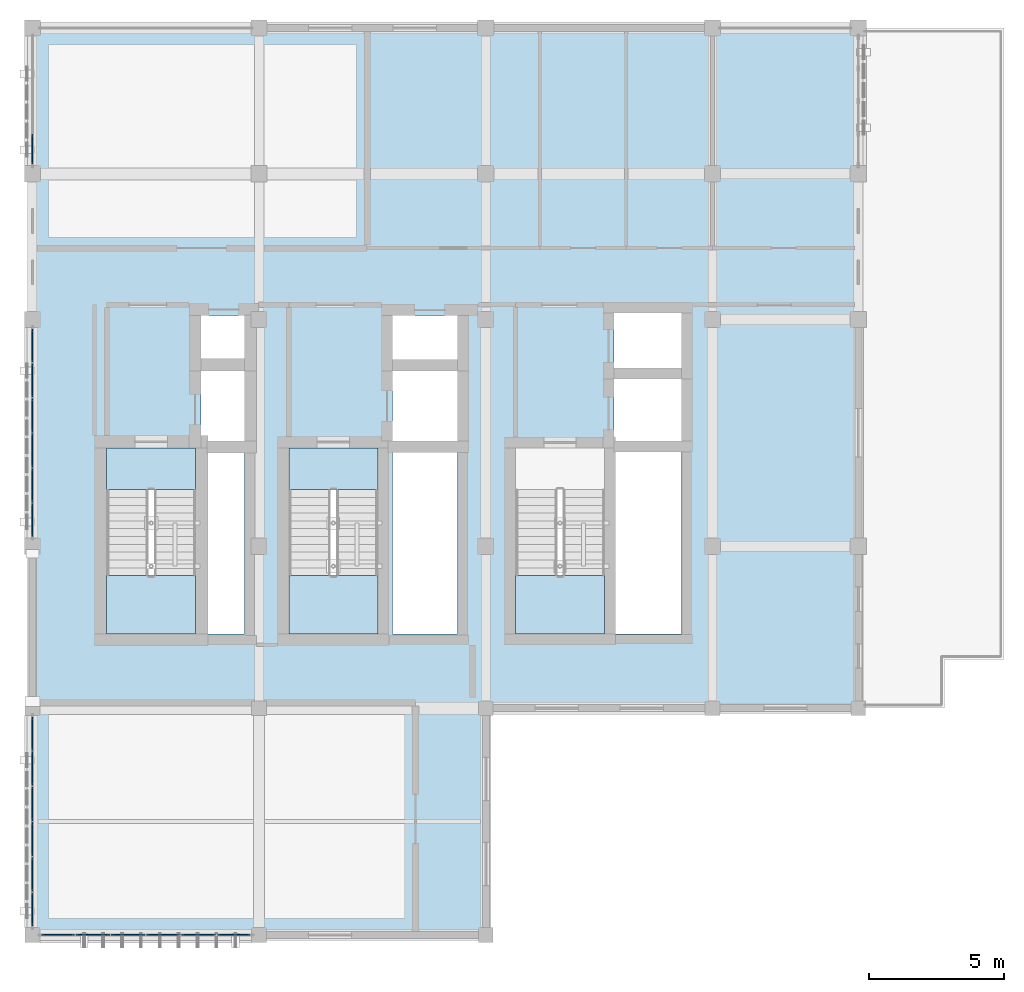
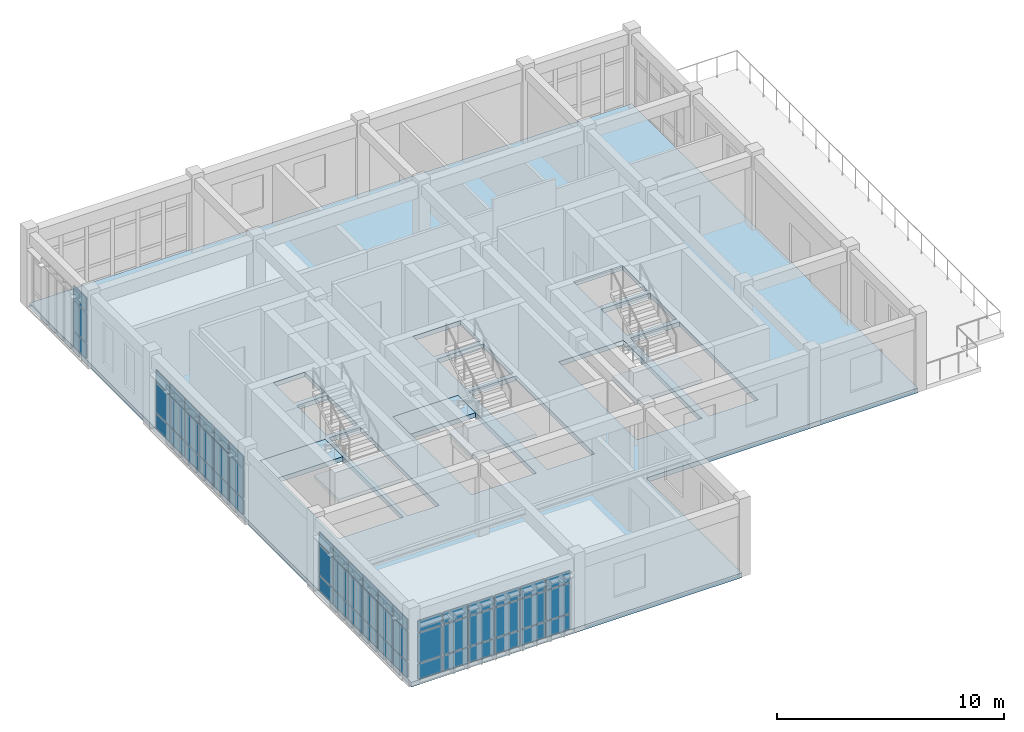
# One storey, part 15 of 21: 57 plates, 6 slabs, 7 elements without a shape of their own.
"""IFC4 building model written with IfcOpenShell, lengths in metres."""

from ifc_helpers import new_model, si_unit, direction, frame, origin, origin_2d, place, context, subcontext, project, spatial, polyline, rectangle, outline, extrude, material, layer, layer_set, type_object, element, aggregate, save


model = new_model("IFC4")

# Units and contexts
model_context = context("Model", 3, precision=1e-05, world=origin(), true_north=direction((0.0, 1.0)))
body_context = subcontext(model_context, "Body", "Model", "MODEL_VIEW")
ifc_project = project(units=[si_unit("LENGTHUNIT", "METRE"), si_unit("AREAUNIT", "SQUARE_METRE"), si_unit("VOLUMEUNIT", "CUBIC_METRE"), si_unit("PLANEANGLEUNIT", "RADIAN"), si_unit("MASSUNIT", "GRAM", prefix="KILO")], contexts=[model_context])

# Site, building, storey
site_placement = place(None, origin())
site = spatial("IfcSite", under=ifc_project, at=site_placement, CompositionType="ELEMENT")
building_placement = place(site_placement, origin())
building = spatial("IfcBuilding", under=site, at=building_placement, Name="Krzemoval Escarpment Law Courts", CompositionType="ELEMENT")
storey_placement = place(building_placement, frame((0.0, 0.0, 37.800048828125)))
storey = spatial("IfcBuildingStorey", under=building, at=storey_placement, Name="L08", CompositionType="ELEMENT", Elevation=37.800048828125)

# Curtain wall, plates
ifc_material_1 = material(Name="Aluminium 6063-T6", Category="aluminium")
ifc_layer_1 = layer(ifc_material_1, 0.219970703125)
ifc_layer_set_1 = layer_set([ifc_layer_1], Name="Aluminium 6063-T6")
curtain_wall_type = type_object("IfcCurtainWallType", Name="CW-CHMB-4200", PredefinedType="USERDEFINED", material=ifc_layer_set_1)
curtain_wall_1_placement = place(storey_placement, origin())
curtain_wall_1 = element("IfcCurtainWall", 1, at=curtain_wall_1_placement, inside=storey, type_object=curtain_wall_type, Name="Unitised Curtain Wall FCW-L08-161", ObjectType="UNITISED_CURTAIN_WALL", PredefinedType="USERDEFINED")
ifc_material_2 = material(Name="Triple Glazing IGU", Category="glass")
ifc_layer_2 = layer(ifc_material_2, 0.0419921875)
ifc_layer_set_2 = layer_set([ifc_layer_2], Name="Triple Glazing IGU")
plate_type = type_object("IfcPlateType", Name="CWP-GLZ-42", PredefinedType="CURTAIN_PANEL", material=ifc_layer_set_2)
plate_1_placement = place(storey_placement, frame((133.45458984375, 85.199951171875, 0.06494140625), z_axis=(0.0, 0.0, 1.0), x_axis=(-1.0, 0.0, 0.0)))
plate_1 = element("IfcPlate", 2, at=plate_1_placement, type_object=plate_type, Name="FCW-L08-161 panel 1.1", PredefinedType="CURTAIN_PANEL", context=body_context, shape_type="SweptSolid", body=[
    extrude(rectangle(XDim=1.2109375, YDim=0.0419921875, at=origin_2d()), origin(), (0.0, 0.0, 1.0), 0.802490234375),
])
plate_2_placement = place(storey_placement, frame((133.45458984375, 85.199951171875, 0.932373046875), z_axis=(0.0, 0.0, 1.0), x_axis=(-1.0, 0.0, 0.0)))
plate_2 = element("IfcPlate", 3, at=plate_2_placement, type_object=plate_type, Name="FCW-L08-161 panel 1.2", PredefinedType="CURTAIN_PANEL", context=body_context, shape_type="SweptSolid", body=[
    extrude(rectangle(XDim=1.2109375, YDim=0.0419921875, at=origin_2d()), origin(), (0.0, 0.0, 1.0), 1.5849609375),
])
plate_3_placement = place(storey_placement, frame((133.45458984375, 85.199951171875, 2.58251953125), z_axis=(0.0, 0.0, 1.0), x_axis=(-1.0, 0.0, 0.0)))
plate_3 = element("IfcPlate", 4, at=plate_3_placement, type_object=plate_type, Name="FCW-L08-161 panel 1.3", PredefinedType="CURTAIN_PANEL", context=body_context, shape_type="SweptSolid", body=[
    extrude(rectangle(XDim=1.2109375, YDim=0.0419921875, at=origin_2d()), origin(), (0.0, 0.0, 1.0), 0.612548828125),
])
plate_4_placement = place(storey_placement, frame((132.16259765625, 85.199951171875, 0.06494140625), z_axis=(0.0, 0.0, 1.0), x_axis=(-1.0, 0.0, 0.0)))
plate_4 = element("IfcPlate", 5, at=plate_4_placement, type_object=plate_type, Name="FCW-L08-161 panel 2.1", PredefinedType="CURTAIN_PANEL", context=body_context, shape_type="SweptSolid", body=[
    extrude(rectangle(XDim=1.243408203125, YDim=0.0419921875, at=origin_2d()), origin(), (0.0, 0.0, 1.0), 0.802490234375),
])
plate_5_placement = place(storey_placement, frame((132.16259765625, 85.199951171875, 0.932373046875), z_axis=(0.0, 0.0, 1.0), x_axis=(-1.0, 0.0, 0.0)))
plate_5 = element("IfcPlate", 6, at=plate_5_placement, type_object=plate_type, Name="FCW-L08-161 panel 2.2", PredefinedType="CURTAIN_PANEL", context=body_context, shape_type="SweptSolid", body=[
    extrude(rectangle(XDim=1.243408203125, YDim=0.0419921875, at=origin_2d()), origin(), (0.0, 0.0, 1.0), 1.5849609375),
])
plate_6_placement = place(storey_placement, frame((132.16259765625, 85.199951171875, 2.58251953125), z_axis=(0.0, 0.0, 1.0), x_axis=(-1.0, 0.0, 0.0)))
plate_6 = element("IfcPlate", 7, at=plate_6_placement, type_object=plate_type, Name="FCW-L08-161 panel 2.3", PredefinedType="CURTAIN_PANEL", context=body_context, shape_type="SweptSolid", body=[
    extrude(rectangle(XDim=1.243408203125, YDim=0.0419921875, at=origin_2d()), origin(), (0.0, 0.0, 1.0), 0.612548828125),
])
plate_7_placement = place(storey_placement, frame((130.854248046875, 85.199951171875, 0.06494140625), z_axis=(0.0, 0.0, 1.0), x_axis=(-1.0, 0.0, 0.0)))
plate_7 = element("IfcPlate", 8, at=plate_7_placement, type_object=plate_type, Name="FCW-L08-161 panel 3.1", PredefinedType="CURTAIN_PANEL", context=body_context, shape_type="SweptSolid", body=[
    extrude(rectangle(XDim=1.243408203125, YDim=0.0419921875, at=origin_2d()), origin(), (0.0, 0.0, 1.0), 0.802490234375),
])
plate_8_placement = place(storey_placement, frame((130.854248046875, 85.199951171875, 0.932373046875), z_axis=(0.0, 0.0, 1.0), x_axis=(-1.0, 0.0, 0.0)))
plate_8 = element("IfcPlate", 9, at=plate_8_placement, type_object=plate_type, Name="FCW-L08-161 panel 3.2", PredefinedType="CURTAIN_PANEL", context=body_context, shape_type="SweptSolid", body=[
    extrude(rectangle(XDim=1.243408203125, YDim=0.0419921875, at=origin_2d()), origin(), (0.0, 0.0, 1.0), 1.5849609375),
])
plate_9_placement = place(storey_placement, frame((130.854248046875, 85.199951171875, 2.58251953125), z_axis=(0.0, 0.0, 1.0), x_axis=(-1.0, 0.0, 0.0)))
plate_9 = element("IfcPlate", 10, at=plate_9_placement, type_object=plate_type, Name="FCW-L08-161 panel 3.3", PredefinedType="CURTAIN_PANEL", context=body_context, shape_type="SweptSolid", body=[
    extrude(rectangle(XDim=1.243408203125, YDim=0.0419921875, at=origin_2d()), origin(), (0.0, 0.0, 1.0), 0.612548828125),
])
plate_10_placement = place(storey_placement, frame((129.5458984375, 85.199951171875, 0.06494140625), z_axis=(0.0, 0.0, 1.0), x_axis=(-1.0, 0.0, 0.0)))
plate_10 = element("IfcPlate", 11, at=plate_10_placement, type_object=plate_type, Name="FCW-L08-161 panel 4.1", PredefinedType="CURTAIN_PANEL", context=body_context, shape_type="SweptSolid", body=[
    extrude(rectangle(XDim=1.243408203125, YDim=0.0419921875, at=origin_2d()), origin(), (0.0, 0.0, 1.0), 0.802490234375),
])
plate_11_placement = place(storey_placement, frame((129.5458984375, 85.199951171875, 0.932373046875), z_axis=(0.0, 0.0, 1.0), x_axis=(-1.0, 0.0, 0.0)))
plate_11 = element("IfcPlate", 12, at=plate_11_placement, type_object=plate_type, Name="FCW-L08-161 panel 4.2", PredefinedType="CURTAIN_PANEL", context=body_context, shape_type="SweptSolid", body=[
    extrude(rectangle(XDim=1.243408203125, YDim=0.0419921875, at=origin_2d()), origin(), (0.0, 0.0, 1.0), 1.5849609375),
])
plate_12_placement = place(storey_placement, frame((129.5458984375, 85.199951171875, 2.58251953125), z_axis=(0.0, 0.0, 1.0), x_axis=(-1.0, 0.0, 0.0)))
plate_12 = element("IfcPlate", 13, at=plate_12_placement, type_object=plate_type, Name="FCW-L08-161 panel 4.3", PredefinedType="CURTAIN_PANEL", context=body_context, shape_type="SweptSolid", body=[
    extrude(rectangle(XDim=1.243408203125, YDim=0.0419921875, at=origin_2d()), origin(), (0.0, 0.0, 1.0), 0.612548828125),
])
plate_13_placement = place(storey_placement, frame((128.237548828125, 85.199951171875, 0.06494140625), z_axis=(0.0, 0.0, 1.0), x_axis=(-1.0, 0.0, 0.0)))
plate_13 = element("IfcPlate", 14, at=plate_13_placement, type_object=plate_type, Name="FCW-L08-161 panel 5.1", PredefinedType="CURTAIN_PANEL", context=body_context, shape_type="SweptSolid", body=[
    extrude(rectangle(XDim=1.243408203125, YDim=0.0419921875, at=origin_2d()), origin(), (0.0, 0.0, 1.0), 0.802490234375),
])
plate_14_placement = place(storey_placement, frame((128.237548828125, 85.199951171875, 0.932373046875), z_axis=(0.0, 0.0, 1.0), x_axis=(-1.0, 0.0, 0.0)))
plate_14 = element("IfcPlate", 15, at=plate_14_placement, type_object=plate_type, Name="FCW-L08-161 panel 5.2", PredefinedType="CURTAIN_PANEL", context=body_context, shape_type="SweptSolid", body=[
    extrude(rectangle(XDim=1.243408203125, YDim=0.0419921875, at=origin_2d()), origin(), (0.0, 0.0, 1.0), 1.5849609375),
])
plate_15_placement = place(storey_placement, frame((128.237548828125, 85.199951171875, 2.58251953125), z_axis=(0.0, 0.0, 1.0), x_axis=(-1.0, 0.0, 0.0)))
plate_15 = element("IfcPlate", 16, at=plate_15_placement, type_object=plate_type, Name="FCW-L08-161 panel 5.3", PredefinedType="CURTAIN_PANEL", context=body_context, shape_type="SweptSolid", body=[
    extrude(rectangle(XDim=1.243408203125, YDim=0.0419921875, at=origin_2d()), origin(), (0.0, 0.0, 1.0), 0.612548828125),
])
plate_16_placement = place(storey_placement, frame((126.9453125, 85.199951171875, 0.06494140625), z_axis=(0.0, 0.0, 1.0), x_axis=(-1.0, 0.0, 0.0)))
plate_16 = element("IfcPlate", 17, at=plate_16_placement, type_object=plate_type, Name="FCW-L08-161 panel 6.1", PredefinedType="CURTAIN_PANEL", context=body_context, shape_type="SweptSolid", body=[
    extrude(rectangle(XDim=1.2109375, YDim=0.0419921875, at=origin_2d()), origin(), (0.0, 0.0, 1.0), 0.802490234375),
])
plate_17_placement = place(storey_placement, frame((126.9453125, 85.199951171875, 0.932373046875), z_axis=(0.0, 0.0, 1.0), x_axis=(-1.0, 0.0, 0.0)))
plate_17 = element("IfcPlate", 18, at=plate_17_placement, type_object=plate_type, Name="FCW-L08-161 panel 6.2", PredefinedType="CURTAIN_PANEL", context=body_context, shape_type="SweptSolid", body=[
    extrude(rectangle(XDim=1.2109375, YDim=0.0419921875, at=origin_2d()), origin(), (0.0, 0.0, 1.0), 1.5849609375),
])
plate_18_placement = place(storey_placement, frame((126.9453125, 85.199951171875, 2.58251953125), z_axis=(0.0, 0.0, 1.0), x_axis=(-1.0, 0.0, 0.0)))
plate_18 = element("IfcPlate", 19, at=plate_18_placement, type_object=plate_type, Name="FCW-L08-161 panel 6.3", PredefinedType="CURTAIN_PANEL", context=body_context, shape_type="SweptSolid", body=[
    extrude(rectangle(XDim=1.2109375, YDim=0.0419921875, at=origin_2d()), origin(), (0.0, 0.0, 1.0), 0.612548828125),
])
aggregate(curtain_wall_1, [plate_1, plate_2, plate_3, plate_4, plate_5, plate_6, plate_7, plate_8, plate_9, plate_10, plate_11, plate_12, plate_13, plate_14, plate_15, plate_16, plate_17, plate_18])

curtain_wall_2_placement = place(storey_placement, origin())
curtain_wall_2 = element("IfcCurtainWall", 20, at=curtain_wall_2_placement, inside=storey, type_object=curtain_wall_type, Name="Unitised Curtain Wall FCW-L08-162", ObjectType="UNITISED_CURTAIN_WALL", PredefinedType="USERDEFINED")
plate_19_placement = place(storey_placement, frame((126.0, 86.1455078125, 0.06494140625), z_axis=(0.0, 0.0, 1.0), x_axis=(0.0, 1.0, 0.0)))
plate_19 = element("IfcPlate", 21, at=plate_19_placement, type_object=plate_type, Name="FCW-L08-162 panel 1.1", PredefinedType="CURTAIN_PANEL", context=body_context, shape_type="SweptSolid", body=[
    extrude(rectangle(XDim=1.2109375, YDim=0.0419921875, at=origin_2d()), origin(), (0.0, 0.0, 1.0), 0.802490234375),
])
plate_20_placement = place(storey_placement, frame((126.0, 86.1455078125, 0.932373046875), z_axis=(0.0, 0.0, 1.0), x_axis=(0.0, 1.0, 0.0)))
plate_20 = element("IfcPlate", 22, at=plate_20_placement, type_object=plate_type, Name="FCW-L08-162 panel 1.2", PredefinedType="CURTAIN_PANEL", context=body_context, shape_type="SweptSolid", body=[
    extrude(rectangle(XDim=1.2109375, YDim=0.0419921875, at=origin_2d()), origin(), (0.0, 0.0, 1.0), 1.5849609375),
])
plate_21_placement = place(storey_placement, frame((126.0, 86.1455078125, 2.58251953125), z_axis=(0.0, 0.0, 1.0), x_axis=(0.0, 1.0, 0.0)))
plate_21 = element("IfcPlate", 23, at=plate_21_placement, type_object=plate_type, Name="FCW-L08-162 panel 1.3", PredefinedType="CURTAIN_PANEL", context=body_context, shape_type="SweptSolid", body=[
    extrude(rectangle(XDim=1.2109375, YDim=0.0419921875, at=origin_2d()), origin(), (0.0, 0.0, 1.0), 0.612548828125),
])
plate_22_placement = place(storey_placement, frame((126.0, 87.4375, 0.06494140625), z_axis=(0.0, 0.0, 1.0), x_axis=(0.0, 1.0, 0.0)))
plate_22 = element("IfcPlate", 24, at=plate_22_placement, type_object=plate_type, Name="FCW-L08-162 panel 2.1", PredefinedType="CURTAIN_PANEL", context=body_context, shape_type="SweptSolid", body=[
    extrude(rectangle(XDim=1.243408203125, YDim=0.0419921875, at=origin_2d()), origin(), (0.0, 0.0, 1.0), 0.802490234375),
])
plate_23_placement = place(storey_placement, frame((126.0, 87.4375, 0.932373046875), z_axis=(0.0, 0.0, 1.0), x_axis=(0.0, 1.0, 0.0)))
plate_23 = element("IfcPlate", 25, at=plate_23_placement, type_object=plate_type, Name="FCW-L08-162 panel 2.2", PredefinedType="CURTAIN_PANEL", context=body_context, shape_type="SweptSolid", body=[
    extrude(rectangle(XDim=1.243408203125, YDim=0.0419921875, at=origin_2d()), origin(), (0.0, 0.0, 1.0), 1.5849609375),
])
plate_24_placement = place(storey_placement, frame((126.0, 87.4375, 2.58251953125), z_axis=(0.0, 0.0, 1.0), x_axis=(0.0, 1.0, 0.0)))
plate_24 = element("IfcPlate", 26, at=plate_24_placement, type_object=plate_type, Name="FCW-L08-162 panel 2.3", PredefinedType="CURTAIN_PANEL", context=body_context, shape_type="SweptSolid", body=[
    extrude(rectangle(XDim=1.243408203125, YDim=0.0419921875, at=origin_2d()), origin(), (0.0, 0.0, 1.0), 0.612548828125),
])
plate_25_placement = place(storey_placement, frame((126.0, 88.745849609375, 0.06494140625), z_axis=(0.0, 0.0, 1.0), x_axis=(0.0, 1.0, 0.0)))
plate_25 = element("IfcPlate", 27, at=plate_25_placement, type_object=plate_type, Name="FCW-L08-162 panel 3.1", PredefinedType="CURTAIN_PANEL", context=body_context, shape_type="SweptSolid", body=[
    extrude(rectangle(XDim=1.243408203125, YDim=0.0419921875, at=origin_2d()), origin(), (0.0, 0.0, 1.0), 0.802490234375),
])
plate_26_placement = place(storey_placement, frame((126.0, 88.745849609375, 0.932373046875), z_axis=(0.0, 0.0, 1.0), x_axis=(0.0, 1.0, 0.0)))
plate_26 = element("IfcPlate", 28, at=plate_26_placement, type_object=plate_type, Name="FCW-L08-162 panel 3.2", PredefinedType="CURTAIN_PANEL", context=body_context, shape_type="SweptSolid", body=[
    extrude(rectangle(XDim=1.243408203125, YDim=0.0419921875, at=origin_2d()), origin(), (0.0, 0.0, 1.0), 1.5849609375),
])
plate_27_placement = place(storey_placement, frame((126.0, 88.745849609375, 2.58251953125), z_axis=(0.0, 0.0, 1.0), x_axis=(0.0, 1.0, 0.0)))
plate_27 = element("IfcPlate", 29, at=plate_27_placement, type_object=plate_type, Name="FCW-L08-162 panel 3.3", PredefinedType="CURTAIN_PANEL", context=body_context, shape_type="SweptSolid", body=[
    extrude(rectangle(XDim=1.243408203125, YDim=0.0419921875, at=origin_2d()), origin(), (0.0, 0.0, 1.0), 0.612548828125),
])
plate_28_placement = place(storey_placement, frame((126.0, 90.05419921875, 0.06494140625), z_axis=(0.0, 0.0, 1.0), x_axis=(0.0, 1.0, 0.0)))
plate_28 = element("IfcPlate", 30, at=plate_28_placement, type_object=plate_type, Name="FCW-L08-162 panel 4.1", PredefinedType="CURTAIN_PANEL", context=body_context, shape_type="SweptSolid", body=[
    extrude(rectangle(XDim=1.243408203125, YDim=0.0419921875, at=origin_2d()), origin(), (0.0, 0.0, 1.0), 0.802490234375),
])
plate_29_placement = place(storey_placement, frame((126.0, 90.05419921875, 0.932373046875), z_axis=(0.0, 0.0, 1.0), x_axis=(0.0, 1.0, 0.0)))
plate_29 = element("IfcPlate", 31, at=plate_29_placement, type_object=plate_type, Name="FCW-L08-162 panel 4.2", PredefinedType="CURTAIN_PANEL", context=body_context, shape_type="SweptSolid", body=[
    extrude(rectangle(XDim=1.243408203125, YDim=0.0419921875, at=origin_2d()), origin(), (0.0, 0.0, 1.0), 1.5849609375),
])
plate_30_placement = place(storey_placement, frame((126.0, 90.05419921875, 2.58251953125), z_axis=(0.0, 0.0, 1.0), x_axis=(0.0, 1.0, 0.0)))
plate_30 = element("IfcPlate", 32, at=plate_30_placement, type_object=plate_type, Name="FCW-L08-162 panel 4.3", PredefinedType="CURTAIN_PANEL", context=body_context, shape_type="SweptSolid", body=[
    extrude(rectangle(XDim=1.243408203125, YDim=0.0419921875, at=origin_2d()), origin(), (0.0, 0.0, 1.0), 0.612548828125),
])
plate_31_placement = place(storey_placement, frame((126.0, 91.362548828125, 0.06494140625), z_axis=(0.0, 0.0, 1.0), x_axis=(0.0, 1.0, 0.0)))
plate_31 = element("IfcPlate", 33, at=plate_31_placement, type_object=plate_type, Name="FCW-L08-162 panel 5.1", PredefinedType="CURTAIN_PANEL", context=body_context, shape_type="SweptSolid", body=[
    extrude(rectangle(XDim=1.243408203125, YDim=0.0419921875, at=origin_2d()), origin(), (0.0, 0.0, 1.0), 0.802490234375),
])
plate_32_placement = place(storey_placement, frame((126.0, 91.362548828125, 0.932373046875), z_axis=(0.0, 0.0, 1.0), x_axis=(0.0, 1.0, 0.0)))
plate_32 = element("IfcPlate", 34, at=plate_32_placement, type_object=plate_type, Name="FCW-L08-162 panel 5.2", PredefinedType="CURTAIN_PANEL", context=body_context, shape_type="SweptSolid", body=[
    extrude(rectangle(XDim=1.243408203125, YDim=0.0419921875, at=origin_2d()), origin(), (0.0, 0.0, 1.0), 1.5849609375),
])
plate_33_placement = place(storey_placement, frame((126.0, 91.362548828125, 2.58251953125), z_axis=(0.0, 0.0, 1.0), x_axis=(0.0, 1.0, 0.0)))
plate_33 = element("IfcPlate", 35, at=plate_33_placement, type_object=plate_type, Name="FCW-L08-162 panel 5.3", PredefinedType="CURTAIN_PANEL", context=body_context, shape_type="SweptSolid", body=[
    extrude(rectangle(XDim=1.243408203125, YDim=0.0419921875, at=origin_2d()), origin(), (0.0, 0.0, 1.0), 0.612548828125),
])
plate_34_placement = place(storey_placement, frame((126.0, 92.654541015625, 0.06494140625), z_axis=(0.0, 0.0, 1.0), x_axis=(0.0, 1.0, 0.0)))
plate_34 = element("IfcPlate", 36, at=plate_34_placement, type_object=plate_type, Name="FCW-L08-162 panel 6.1", PredefinedType="CURTAIN_PANEL", context=body_context, shape_type="SweptSolid", body=[
    extrude(rectangle(XDim=1.2109375, YDim=0.0419921875, at=origin_2d()), origin(), (0.0, 0.0, 1.0), 0.802490234375),
])
plate_35_placement = place(storey_placement, frame((126.0, 92.654541015625, 0.932373046875), z_axis=(0.0, 0.0, 1.0), x_axis=(0.0, 1.0, 0.0)))
plate_35 = element("IfcPlate", 37, at=plate_35_placement, type_object=plate_type, Name="FCW-L08-162 panel 6.2", PredefinedType="CURTAIN_PANEL", context=body_context, shape_type="SweptSolid", body=[
    extrude(rectangle(XDim=1.2109375, YDim=0.0419921875, at=origin_2d()), origin(), (0.0, 0.0, 1.0), 1.5849609375),
])
plate_36_placement = place(storey_placement, frame((126.0, 92.654541015625, 2.58251953125), z_axis=(0.0, 0.0, 1.0), x_axis=(0.0, 1.0, 0.0)))
plate_36 = element("IfcPlate", 38, at=plate_36_placement, type_object=plate_type, Name="FCW-L08-162 panel 6.3", PredefinedType="CURTAIN_PANEL", context=body_context, shape_type="SweptSolid", body=[
    extrude(rectangle(XDim=1.2109375, YDim=0.0419921875, at=origin_2d()), origin(), (0.0, 0.0, 1.0), 0.612548828125),
])
aggregate(curtain_wall_2, [plate_19, plate_20, plate_21, plate_22, plate_23, plate_24, plate_25, plate_26, plate_27, plate_28, plate_29, plate_30, plate_31, plate_32, plate_33, plate_34, plate_35, plate_36])

curtain_wall_3_placement = place(storey_placement, origin())
curtain_wall_3 = element("IfcCurtainWall", 39, at=curtain_wall_3_placement, inside=storey, type_object=curtain_wall_type, Name="Unitised Curtain Wall FCW-L08-163", ObjectType="UNITISED_CURTAIN_WALL", PredefinedType="USERDEFINED")
plate_37_placement = place(storey_placement, frame((126.0, 100.566162109375, 0.06494140625), z_axis=(0.0, 0.0, 1.0), x_axis=(0.0, 1.0, 0.0)))
plate_37 = element("IfcPlate", 40, at=plate_37_placement, type_object=plate_type, Name="FCW-L08-163 panel 1.1", PredefinedType="CURTAIN_PANEL", context=body_context, shape_type="SweptSolid", body=[
    extrude(rectangle(XDim=1.202392578125, YDim=0.0419921875, at=origin_2d()), origin(), (0.0, 0.0, 1.0), 0.802490234375),
])
plate_38_placement = place(storey_placement, frame((126.0, 100.566162109375, 0.932373046875), z_axis=(0.0, 0.0, 1.0), x_axis=(0.0, 1.0, 0.0)))
plate_38 = element("IfcPlate", 41, at=plate_38_placement, type_object=plate_type, Name="FCW-L08-163 panel 1.2", PredefinedType="CURTAIN_PANEL", context=body_context, shape_type="SweptSolid", body=[
    extrude(rectangle(XDim=1.202392578125, YDim=0.0419921875, at=origin_2d()), origin(), (0.0, 0.0, 1.0), 1.5849609375),
])
plate_39_placement = place(storey_placement, frame((126.0, 100.566162109375, 2.58251953125), z_axis=(0.0, 0.0, 1.0), x_axis=(0.0, 1.0, 0.0)))
plate_39 = element("IfcPlate", 42, at=plate_39_placement, type_object=plate_type, Name="FCW-L08-163 panel 1.3", PredefinedType="CURTAIN_PANEL", context=body_context, shape_type="SweptSolid", body=[
    extrude(rectangle(XDim=1.202392578125, YDim=0.0419921875, at=origin_2d()), origin(), (0.0, 0.0, 1.0), 0.612548828125),
])
plate_40_placement = place(storey_placement, frame((126.0, 101.85009765625, 0.06494140625), z_axis=(0.0, 0.0, 1.0), x_axis=(0.0, 1.0, 0.0)))
plate_40 = element("IfcPlate", 43, at=plate_40_placement, type_object=plate_type, Name="FCW-L08-163 panel 2.1", PredefinedType="CURTAIN_PANEL", context=body_context, shape_type="SweptSolid", body=[
    extrude(rectangle(XDim=1.235107421875, YDim=0.0419921875, at=origin_2d()), origin(), (0.0, 0.0, 1.0), 0.802490234375),
])
plate_41_placement = place(storey_placement, frame((126.0, 101.85009765625, 0.932373046875), z_axis=(0.0, 0.0, 1.0), x_axis=(0.0, 1.0, 0.0)))
plate_41 = element("IfcPlate", 44, at=plate_41_placement, type_object=plate_type, Name="FCW-L08-163 panel 2.2", PredefinedType="CURTAIN_PANEL", context=body_context, shape_type="SweptSolid", body=[
    extrude(rectangle(XDim=1.235107421875, YDim=0.0419921875, at=origin_2d()), origin(), (0.0, 0.0, 1.0), 1.5849609375),
])
plate_42_placement = place(storey_placement, frame((126.0, 101.85009765625, 2.58251953125), z_axis=(0.0, 0.0, 1.0), x_axis=(0.0, 1.0, 0.0)))
plate_42 = element("IfcPlate", 45, at=plate_42_placement, type_object=plate_type, Name="FCW-L08-163 panel 2.3", PredefinedType="CURTAIN_PANEL", context=body_context, shape_type="SweptSolid", body=[
    extrude(rectangle(XDim=1.235107421875, YDim=0.0419921875, at=origin_2d()), origin(), (0.0, 0.0, 1.0), 0.612548828125),
])
plate_43_placement = place(storey_placement, frame((126.0, 103.14990234375, 0.06494140625), z_axis=(0.0, 0.0, 1.0), x_axis=(0.0, 1.0, 0.0)))
plate_43 = element("IfcPlate", 46, at=plate_43_placement, type_object=plate_type, Name="FCW-L08-163 panel 3.1", PredefinedType="CURTAIN_PANEL", context=body_context, shape_type="SweptSolid", body=[
    extrude(rectangle(XDim=1.235107421875, YDim=0.0419921875, at=origin_2d()), origin(), (0.0, 0.0, 1.0), 0.802490234375),
])
plate_44_placement = place(storey_placement, frame((126.0, 103.14990234375, 0.932373046875), z_axis=(0.0, 0.0, 1.0), x_axis=(0.0, 1.0, 0.0)))
plate_44 = element("IfcPlate", 47, at=plate_44_placement, type_object=plate_type, Name="FCW-L08-163 panel 3.2", PredefinedType="CURTAIN_PANEL", context=body_context, shape_type="SweptSolid", body=[
    extrude(rectangle(XDim=1.235107421875, YDim=0.0419921875, at=origin_2d()), origin(), (0.0, 0.0, 1.0), 1.5849609375),
])
plate_45_placement = place(storey_placement, frame((126.0, 103.14990234375, 2.58251953125), z_axis=(0.0, 0.0, 1.0), x_axis=(0.0, 1.0, 0.0)))
plate_45 = element("IfcPlate", 48, at=plate_45_placement, type_object=plate_type, Name="FCW-L08-163 panel 3.3", PredefinedType="CURTAIN_PANEL", context=body_context, shape_type="SweptSolid", body=[
    extrude(rectangle(XDim=1.235107421875, YDim=0.0419921875, at=origin_2d()), origin(), (0.0, 0.0, 1.0), 0.612548828125),
])
plate_46_placement = place(storey_placement, frame((126.0, 104.449951171875, 0.06494140625), z_axis=(0.0, 0.0, 1.0), x_axis=(0.0, 1.0, 0.0)))
plate_46 = element("IfcPlate", 49, at=plate_46_placement, type_object=plate_type, Name="FCW-L08-163 panel 4.1", PredefinedType="CURTAIN_PANEL", context=body_context, shape_type="SweptSolid", body=[
    extrude(rectangle(XDim=1.235107421875, YDim=0.0419921875, at=origin_2d()), origin(), (0.0, 0.0, 1.0), 0.802490234375),
])
plate_47_placement = place(storey_placement, frame((126.0, 104.449951171875, 0.932373046875), z_axis=(0.0, 0.0, 1.0), x_axis=(0.0, 1.0, 0.0)))
plate_47 = element("IfcPlate", 50, at=plate_47_placement, type_object=plate_type, Name="FCW-L08-163 panel 4.2", PredefinedType="CURTAIN_PANEL", context=body_context, shape_type="SweptSolid", body=[
    extrude(rectangle(XDim=1.235107421875, YDim=0.0419921875, at=origin_2d()), origin(), (0.0, 0.0, 1.0), 1.5849609375),
])
plate_48_placement = place(storey_placement, frame((126.0, 104.449951171875, 2.58251953125), z_axis=(0.0, 0.0, 1.0), x_axis=(0.0, 1.0, 0.0)))
plate_48 = element("IfcPlate", 51, at=plate_48_placement, type_object=plate_type, Name="FCW-L08-163 panel 4.3", PredefinedType="CURTAIN_PANEL", context=body_context, shape_type="SweptSolid", body=[
    extrude(rectangle(XDim=1.235107421875, YDim=0.0419921875, at=origin_2d()), origin(), (0.0, 0.0, 1.0), 0.612548828125),
])
plate_49_placement = place(storey_placement, frame((126.0, 105.75, 0.06494140625), z_axis=(0.0, 0.0, 1.0), x_axis=(0.0, 1.0, 0.0)))
plate_49 = element("IfcPlate", 52, at=plate_49_placement, type_object=plate_type, Name="FCW-L08-163 panel 5.1", PredefinedType="CURTAIN_PANEL", context=body_context, shape_type="SweptSolid", body=[
    extrude(rectangle(XDim=1.235107421875, YDim=0.0419921875, at=origin_2d()), origin(), (0.0, 0.0, 1.0), 0.802490234375),
])
plate_50_placement = place(storey_placement, frame((126.0, 105.75, 0.932373046875), z_axis=(0.0, 0.0, 1.0), x_axis=(0.0, 1.0, 0.0)))
plate_50 = element("IfcPlate", 53, at=plate_50_placement, type_object=plate_type, Name="FCW-L08-163 panel 5.2", PredefinedType="CURTAIN_PANEL", context=body_context, shape_type="SweptSolid", body=[
    extrude(rectangle(XDim=1.235107421875, YDim=0.0419921875, at=origin_2d()), origin(), (0.0, 0.0, 1.0), 1.5849609375),
])
plate_51_placement = place(storey_placement, frame((126.0, 105.75, 2.58251953125), z_axis=(0.0, 0.0, 1.0), x_axis=(0.0, 1.0, 0.0)))
plate_51 = element("IfcPlate", 54, at=plate_51_placement, type_object=plate_type, Name="FCW-L08-163 panel 5.3", PredefinedType="CURTAIN_PANEL", context=body_context, shape_type="SweptSolid", body=[
    extrude(rectangle(XDim=1.235107421875, YDim=0.0419921875, at=origin_2d()), origin(), (0.0, 0.0, 1.0), 0.612548828125),
])
plate_52_placement = place(storey_placement, frame((126.0, 107.03369140625, 0.06494140625), z_axis=(0.0, 0.0, 1.0), x_axis=(0.0, 1.0, 0.0)))
plate_52 = element("IfcPlate", 55, at=plate_52_placement, type_object=plate_type, Name="FCW-L08-163 panel 6.1", PredefinedType="CURTAIN_PANEL", context=body_context, shape_type="SweptSolid", body=[
    extrude(rectangle(XDim=1.202392578125, YDim=0.0419921875, at=origin_2d()), origin(), (0.0, 0.0, 1.0), 0.802490234375),
])
plate_53_placement = place(storey_placement, frame((126.0, 107.03369140625, 0.932373046875), z_axis=(0.0, 0.0, 1.0), x_axis=(0.0, 1.0, 0.0)))
plate_53 = element("IfcPlate", 56, at=plate_53_placement, type_object=plate_type, Name="FCW-L08-163 panel 6.2", PredefinedType="CURTAIN_PANEL", context=body_context, shape_type="SweptSolid", body=[
    extrude(rectangle(XDim=1.202392578125, YDim=0.0419921875, at=origin_2d()), origin(), (0.0, 0.0, 1.0), 1.5849609375),
])
plate_54_placement = place(storey_placement, frame((126.0, 107.03369140625, 2.58251953125), z_axis=(0.0, 0.0, 1.0), x_axis=(0.0, 1.0, 0.0)))
plate_54 = element("IfcPlate", 57, at=plate_54_placement, type_object=plate_type, Name="FCW-L08-163 panel 6.3", PredefinedType="CURTAIN_PANEL", context=body_context, shape_type="SweptSolid", body=[
    extrude(rectangle(XDim=1.202392578125, YDim=0.0419921875, at=origin_2d()), origin(), (0.0, 0.0, 1.0), 0.612548828125),
])
aggregate(curtain_wall_3, [plate_37, plate_38, plate_39, plate_40, plate_41, plate_42, plate_43, plate_44, plate_45, plate_46, plate_47, plate_48, plate_49, plate_50, plate_51, plate_52, plate_53, plate_54])

curtain_wall_4_placement = place(storey_placement, origin())
curtain_wall_4 = element("IfcCurtainWall", 58, at=curtain_wall_4_placement, inside=storey, type_object=curtain_wall_type, Name="Unitised Curtain Wall FCW-L08-164", ObjectType="UNITISED_CURTAIN_WALL", PredefinedType="USERDEFINED")
plate_55_placement = place(storey_placement, frame((126.0, 114.316162109375, 0.06494140625), z_axis=(0.0, 0.0, 1.0), x_axis=(0.0, 1.0, 0.0)))
plate_55 = element("IfcPlate", 59, at=plate_55_placement, type_object=plate_type, Name="FCW-L08-164 panel 1.1", PredefinedType="CURTAIN_PANEL", context=body_context, shape_type="SweptSolid", body=[
    extrude(rectangle(XDim=1.1025390625, YDim=0.0419921875, at=origin_2d()), origin(), (0.0, 0.0, 1.0), 0.802490234375),
])
plate_56_placement = place(storey_placement, frame((126.0, 114.316162109375, 0.932373046875), z_axis=(0.0, 0.0, 1.0), x_axis=(0.0, 1.0, 0.0)))
plate_56 = element("IfcPlate", 60, at=plate_56_placement, type_object=plate_type, Name="FCW-L08-164 panel 1.2", PredefinedType="CURTAIN_PANEL", context=body_context, shape_type="SweptSolid", body=[
    extrude(rectangle(XDim=1.1025390625, YDim=0.0419921875, at=origin_2d()), origin(), (0.0, 0.0, 1.0), 1.5849609375),
])
plate_57_placement = place(storey_placement, frame((126.0, 114.316162109375, 2.58251953125), z_axis=(0.0, 0.0, 1.0), x_axis=(0.0, 1.0, 0.0)))
plate_57 = element("IfcPlate", 61, at=plate_57_placement, type_object=plate_type, Name="FCW-L08-164 panel 1.3", PredefinedType="CURTAIN_PANEL", context=body_context, shape_type="SweptSolid", body=[
    extrude(rectangle(XDim=1.1025390625, YDim=0.0419921875, at=origin_2d()), origin(), (0.0, 0.0, 1.0), 0.762451171875),
])
aggregate(curtain_wall_4, [plate_55, plate_56, plate_57])

# Slabs
ifc_material_3 = material(Name="Concrete C40/50", Category="concrete")
ifc_layer_3 = layer(ifc_material_3, 0.25)
ifc_layer_set_3 = layer_set([ifc_layer_3], Name="Concrete C40/50")
slab_type_1 = type_object("IfcSlabType", Name="SL-FLR-250", PredefinedType="FLOOR", material=ifc_layer_set_3)
slab_1_placement = place(storey_placement, frame((0.0, 0.0, -0.25)))
element("IfcSlab", 62, at=slab_1_placement, inside=storey, type_object=slab_type_1, Name="Floor Slab SL-L08-V5-048", PredefinedType="FLOOR", context=body_context, shape_type="SweptSolid", body=[
    extrude(outline(polyline([(142.800048828125, 93.60009765625), (142.800048828125, 85.199951171875), (126.0, 85.199951171875), (126.0, 118.800048828125), (156.60009765625, 118.800048828125), (156.60009765625, 93.60009765625), (142.800048828125, 93.60009765625)]), holes=[polyline([(133.85009765625, 103.5), (133.85009765625, 106.10009765625), (132.25, 106.10009765625), (132.25, 103.5), (133.85009765625, 103.5)]), polyline([(132.25, 106.35009765625), (133.85009765625, 106.35009765625), (133.85009765625, 108.14990234375), (132.25, 108.14990234375), (132.25, 106.35009765625)]), polyline([(132.25, 103.25), (132.25, 96.35009765625), (133.85009765625, 96.35009765625), (133.85009765625, 103.25), (132.25, 103.25)]), polyline([(141.75, 106.10009765625), (139.35009765625, 106.10009765625), (139.35009765625, 103.5), (141.75, 103.5), (141.75, 106.10009765625)]), polyline([(141.75, 106.35009765625), (141.75, 108.14990234375), (139.35009765625, 108.14990234375), (139.35009765625, 106.35009765625), (141.75, 106.35009765625)]), polyline([(139.35009765625, 96.35009765625), (141.75, 96.35009765625), (141.75, 103.25), (139.35009765625, 103.25), (139.35009765625, 96.35009765625)]), polyline([(147.550048828125, 105.800048828125), (147.550048828125, 103.5), (150.050048828125, 103.5), (150.050048828125, 105.800048828125), (147.550048828125, 105.800048828125)]), polyline([(150.050048828125, 108.25), (147.550048828125, 108.25), (147.550048828125, 106.050048828125), (150.050048828125, 106.050048828125), (150.050048828125, 108.25)]), polyline([(150.050048828125, 96.35009765625), (150.050048828125, 103.25), (147.550048828125, 103.25), (147.550048828125, 96.35009765625), (150.050048828125, 96.35009765625)]), polyline([(128.75, 96.35009765625), (132.050048828125, 96.35009765625), (132.050048828125, 103.25), (128.75, 103.25), (128.75, 96.35009765625)]), polyline([(135.5, 103.25), (135.5, 96.35009765625), (138.800048828125, 96.35009765625), (138.800048828125, 103.25), (135.5, 103.25)]), polyline([(147.199951171875, 103.25), (143.89990234375, 103.25), (143.89990234375, 96.35009765625), (147.199951171875, 96.35009765625), (147.199951171875, 103.25)])]), origin(), (0.0, 0.0, 1.0), 0.25),
])
slab_2_placement = place(storey_placement, frame((0.0, 0.0, -0.25)))
element("IfcSlab", 63, at=slab_2_placement, inside=storey, type_object=slab_type_1, Name="Core Floor Landing Slab SL-ST1-L08-FL", PredefinedType="FLOOR", context=body_context, shape_type="SweptSolid", body=[
    extrude(outline(polyline([(128.75, 103.25), (128.75, 101.699951171875), (132.050048828125, 101.699951171875), (132.050048828125, 103.25), (128.75, 103.25)])), origin(), (0.0, 0.0, 1.0), 0.25),
])
slab_3_placement = place(storey_placement, frame((0.0, 0.0, -0.25)))
element("IfcSlab", 64, at=slab_3_placement, inside=storey, type_object=slab_type_1, Name="Core Floor Landing Slab SL-ST2-L08-FL", PredefinedType="FLOOR", context=body_context, shape_type="SweptSolid", body=[
    extrude(outline(polyline([(135.5, 103.25), (135.5, 101.699951171875), (138.800048828125, 101.699951171875), (138.800048828125, 103.25), (135.5, 103.25)])), origin(), (0.0, 0.0, 1.0), 0.25),
])

# Stair, slab
ifc_material_4 = material(Name="Concrete C40/50", Category="concrete")
stair_type = type_object("IfcStairType", Name="STR-CORE-1550", PredefinedType="HALF_TURN_STAIR", material=ifc_material_4)
stair_1_placement = place(storey_placement, origin())
stair_1 = element("IfcStair", 65, at=stair_1_placement, inside=storey, type_object=stair_type, Name="L08 ST1", PredefinedType="HALF_TURN_STAIR")
ifc_material_5 = material(Name="Concrete C40/50", Category="concrete")
ifc_layer_4 = layer(ifc_material_5, 0.199951171875)
ifc_layer_set_4 = layer_set([ifc_layer_4], Name="Concrete C40/50")
slab_type_2 = type_object("IfcSlabType", Name="SL-LND-200", PredefinedType="LANDING", material=ifc_layer_set_4)
slab_4_placement = place(storey_placement, frame((0.0, 0.0, 1.89990234375)))
slab_4 = element("IfcSlab", 66, at=slab_4_placement, type_object=slab_type_2, Name="ST1 landing 1", PredefinedType="LANDING", context=body_context, shape_type="SweptSolid", body=[
    extrude(outline(polyline([(128.75, 98.510009765625), (128.75, 96.35009765625), (132.050048828125, 96.35009765625), (132.050048828125, 98.510009765625), (128.75, 98.510009765625)])), origin(), (0.0, 0.0, 1.0), 0.199951171875),
])
aggregate(stair_1, [slab_4])

stair_2_placement = place(storey_placement, origin())
stair_2 = element("IfcStair", 67, at=stair_2_placement, inside=storey, type_object=stair_type, Name="L08 ST2", PredefinedType="HALF_TURN_STAIR")
slab_5_placement = place(storey_placement, frame((0.0, 0.0, 1.89990234375)))
slab_5 = element("IfcSlab", 68, at=slab_5_placement, type_object=slab_type_2, Name="ST2 landing 1", PredefinedType="LANDING", context=body_context, shape_type="SweptSolid", body=[
    extrude(outline(polyline([(135.5, 98.510009765625), (135.5, 96.35009765625), (138.800048828125, 96.35009765625), (138.800048828125, 98.510009765625), (135.5, 98.510009765625)])), origin(), (0.0, 0.0, 1.0), 0.199951171875),
])
aggregate(stair_2, [slab_5])

stair_3_placement = place(storey_placement, origin())
stair_3 = element("IfcStair", 69, at=stair_3_placement, inside=storey, type_object=stair_type, Name="L08 ST3", PredefinedType="HALF_TURN_STAIR")
slab_6_placement = place(storey_placement, frame((0.0, 0.0, 1.89990234375)))
slab_6 = element("IfcSlab", 70, at=slab_6_placement, type_object=slab_type_2, Name="ST3 landing 1", PredefinedType="LANDING", context=body_context, shape_type="SweptSolid", body=[
    extrude(outline(polyline([(143.89990234375, 98.510009765625), (143.89990234375, 96.35009765625), (147.199951171875, 96.35009765625), (147.199951171875, 98.510009765625), (143.89990234375, 98.510009765625)])), origin(), (0.0, 0.0, 1.0), 0.199951171875),
])
aggregate(stair_3, [slab_6])

save(model, "model.ifc")
